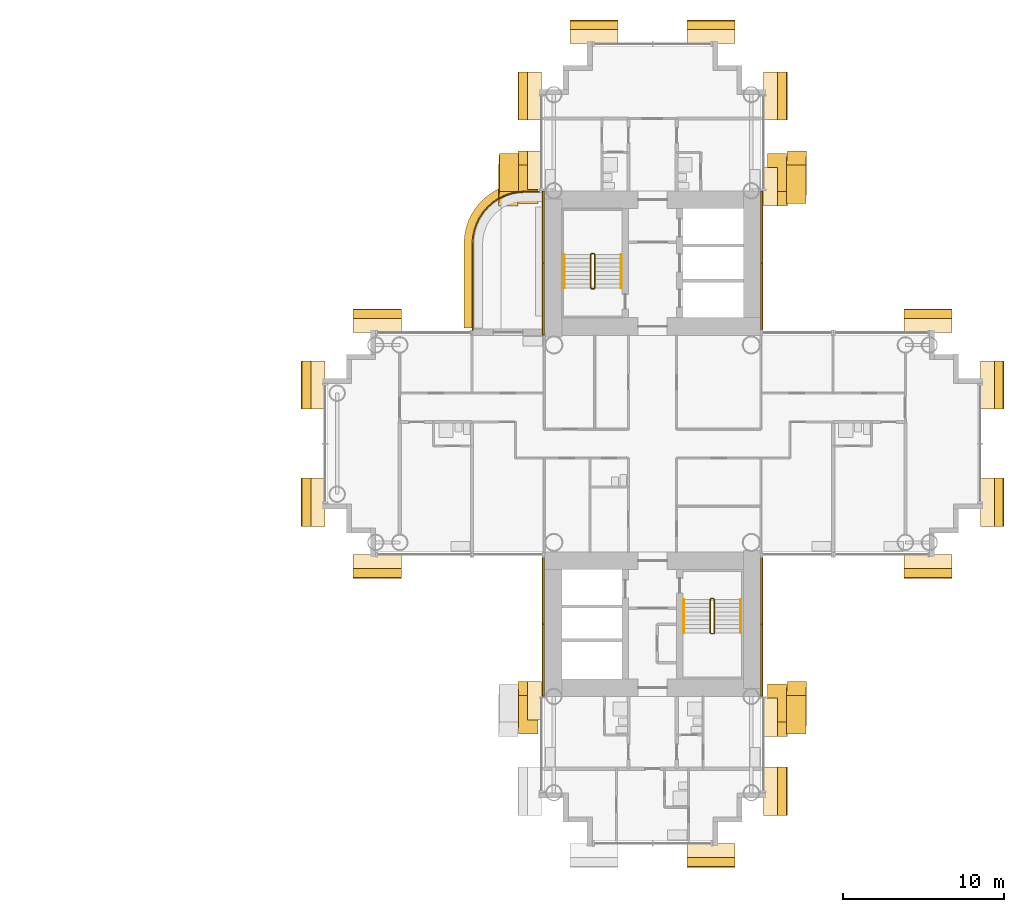
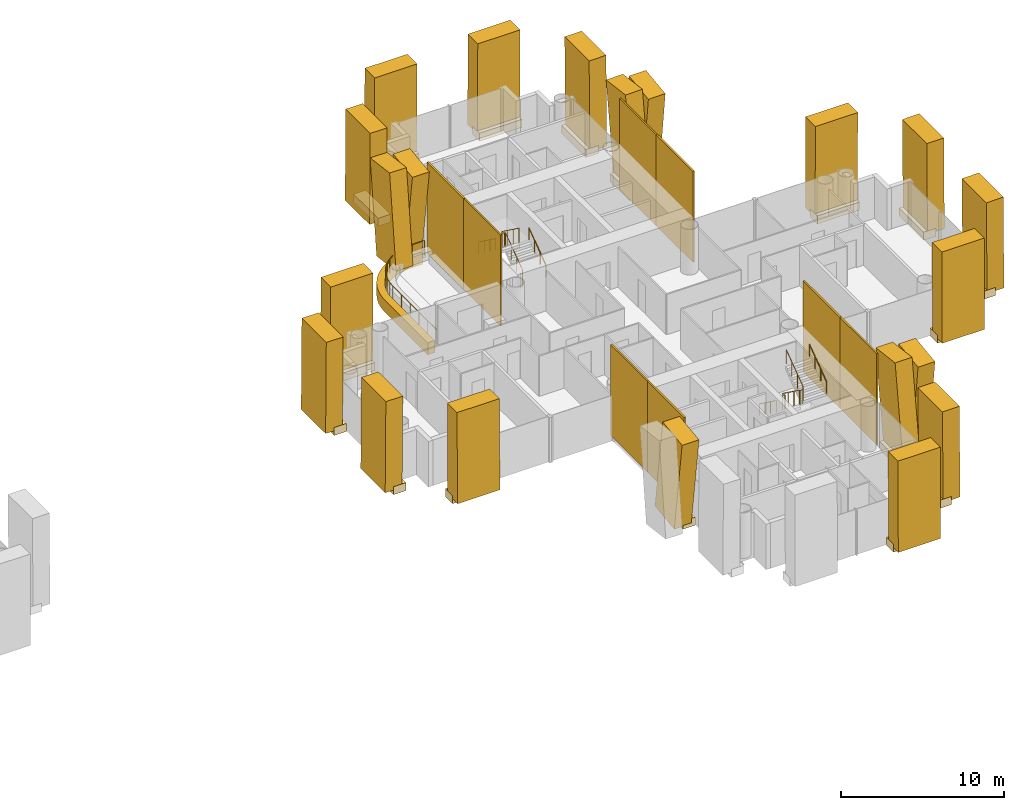
# One storey, part 22 of 23: 48 coverings, 7 railings.
"""IFC4 building model written with IfcOpenShell, lengths in metres."""

from ifc_helpers import new_model, si_unit, direction, frame, origin, origin_2d, place, context, subcontext, project, spatial, polyline, rectangle, circle, outline, extrude, material, layer, layer_set, material_profile, profile_set, type_object, element, save


model = new_model("IFC4")

# Units and contexts
model_context = context("Model", 3, precision=1e-05, world=origin(), true_north=direction((0.0, 1.0)))
body_context = subcontext(model_context, "Body", "Model", "MODEL_VIEW")
ifc_project = project(units=[si_unit("LENGTHUNIT", "METRE"), si_unit("AREAUNIT", "SQUARE_METRE"), si_unit("VOLUMEUNIT", "CUBIC_METRE"), si_unit("PLANEANGLEUNIT", "RADIAN"), si_unit("MASSUNIT", "GRAM", prefix="KILO")], contexts=[model_context])

# Site, building, storey
site_placement = place(None, origin())
site = spatial("IfcSite", under=ifc_project, at=site_placement, CompositionType="ELEMENT")
building_placement = place(site_placement, origin())
building = spatial("IfcBuilding", under=site, at=building_placement, Name="Ipe Terrace Towers", CompositionType="ELEMENT")
storey_placement = place(building_placement, frame((0.0, 0.0, 44.89990234375)))
storey = spatial("IfcBuildingStorey", under=building, at=storey_placement, Name="L11", CompositionType="ELEMENT", Elevation=44.89990234375)

# Railing
ifc_material_1 = material(Name="Stainless steel S316", Category="steel")
railing_type_1 = type_object("IfcRailingType", Name="GUARD 1100", PredefinedType="BALUSTRADE", material=ifc_material_1)
railing_1_placement = place(storey_placement, frame((28.929931640625, 15.699951171875, -0.02001953125)))
element("IfcRailing", 1, at=railing_1_placement, inside=storey, type_object=railing_type_1, Name="guard", PredefinedType="BALUSTRADE", context=body_context, shape_type="SweptSolid", body=[
    extrude(circle(Radius=0.02392578125, at=origin_2d()), frame((0.0, 0.0, 1.076171875), z_axis=(-1.0, 0.0, 0.0), x_axis=(0.0, -1.0, 0.0)), (0.0, 0.0, 1.0), 0.8779296875),
    extrude(circle(Radius=0.02392578125, at=origin_2d()), frame((-0.8779296875, 0.0, 1.076171875), z_axis=(-0.997872833927, -0.065190546171, 0.0), x_axis=(0.065190546171, -0.997872833927, 0.0)), (0.0, 0.0, 1.0), 0.427001953125),
    extrude(circle(Radius=0.02392578125, at=origin_2d()), frame((-1.303955078125, -0.02783203125, 1.076171875), z_axis=(-0.980756958892, -0.195232649896, 0.0), x_axis=(0.195232649896, -0.980756958892, 0.0)), (0.0, 0.0, 1.0), 0.42529296875),
    extrude(circle(Radius=0.02392578125, at=origin_2d()), frame((-1.720947265625, -0.11083984375, 1.076171875), z_axis=(-0.947355280148, -0.320184280026, 0.0), x_axis=(0.320184280026, -0.947355280148, 0.0)), (0.0, 0.0, 1.0), 0.425537109375),
    extrude(circle(Radius=0.02392578125, at=origin_2d()), frame((-2.1240234375, -0.2470703125, 1.076171875), z_axis=(-0.895801099535, -0.444455160923, 0.0), x_axis=(0.444455160923, -0.895801099535, 0.0)), (0.0, 0.0, 1.0), 0.425048828125),
    extrude(circle(Radius=0.02392578125, at=origin_2d()), frame((-2.5048828125, -0.43603515625, 1.076171875), z_axis=(-0.83151910003, -0.55549616226, 0.0), x_axis=(0.55549616226, -0.83151910003, 0.0)), (0.0, 0.0, 1.0), 0.424560546875),
    extrude(circle(Radius=0.02392578125, at=origin_2d()), frame((-2.85791015625, -0.671875, 1.076171875), z_axis=(-0.752612255774, -0.658463964434, 0.0), x_axis=(0.658463964434, -0.752612255774, 0.0)), (0.0, 0.0, 1.0), 0.42529296875),
    extrude(circle(Radius=0.02392578125, at=origin_2d()), frame((-3.177978515625, -0.951904296875, 1.076171875), z_axis=(-0.658463964434, -0.752612255774, 0.0), x_axis=(0.752612255774, -0.658463964434, 0.0)), (0.0, 0.0, 1.0), 0.42529296875),
    extrude(circle(Radius=0.02392578125, at=origin_2d()), frame((-3.4580078125, -1.27197265625, 1.076171875), z_axis=(-0.55549616226, -0.83151910003, 0.0), x_axis=(0.83151910003, -0.55549616226, 0.0)), (0.0, 0.0, 1.0), 0.424560546875),
    extrude(circle(Radius=0.02392578125, at=origin_2d()), frame((-3.69384765625, -1.625, 1.076171875), z_axis=(-0.444455160923, -0.895801099535, 0.0), x_axis=(0.895801099535, -0.444455160923, 0.0)), (0.0, 0.0, 1.0), 0.425048828125),
    extrude(circle(Radius=0.02392578125, at=origin_2d()), frame((-3.8828125, -2.005859375, 1.076171875), z_axis=(-0.320184280026, -0.947355280148, 0.0), x_axis=(0.947355280148, -0.320184280026, 0.0)), (0.0, 0.0, 1.0), 0.425537109375),
    extrude(circle(Radius=0.02392578125, at=origin_2d()), frame((-4.01904296875, -2.408935546875, 1.076171875), z_axis=(-0.195232649896, -0.980756958892, 0.0), x_axis=(0.980756958892, -0.195232649896, 0.0)), (0.0, 0.0, 1.0), 0.42529296875),
    extrude(circle(Radius=0.02392578125, at=origin_2d()), frame((-4.10205078125, -2.825927734375, 1.076171875), z_axis=(-0.065190546171, -0.997872833927, 0.0), x_axis=(0.997872833927, -0.065190546171, 0.0)), (0.0, 0.0, 1.0), 0.427001953125),
    extrude(circle(Radius=0.02392578125, at=origin_2d()), frame((-4.1298828125, -3.251953125, 1.076171875), z_axis=(0.0, -1.0, 0.0), x_axis=(1.0, 0.0, 0.0)), (0.0, 0.0, 1.0), 5.3779296875),
    extrude(circle(Radius=0.02099609375, at=origin_2d()), origin(), (0.0, 0.0, 1.0), 1.052001953125),
    extrude(circle(Radius=0.02099609375, at=origin_2d()), frame((-0.8779296875, 0.0, 0.0)), (0.0, 0.0, 1.0), 1.052001953125),
    extrude(circle(Radius=0.02099609375, at=origin_2d()), frame((-1.303955078125, -0.02783203125, 0.0)), (0.0, 0.0, 1.0), 1.052001953125),
    extrude(circle(Radius=0.02099609375, at=origin_2d()), frame((-1.720947265625, -0.11083984375, 0.0)), (0.0, 0.0, 1.0), 1.052001953125),
    extrude(circle(Radius=0.02099609375, at=origin_2d()), frame((-2.1240234375, -0.2470703125, 0.0)), (0.0, 0.0, 1.0), 1.052001953125),
    extrude(circle(Radius=0.02099609375, at=origin_2d()), frame((-2.5048828125, -0.43603515625, 0.0)), (0.0, 0.0, 1.0), 1.052001953125),
    extrude(circle(Radius=0.02099609375, at=origin_2d()), frame((-2.85791015625, -0.671875, 0.0)), (0.0, 0.0, 1.0), 1.052001953125),
    extrude(circle(Radius=0.02099609375, at=origin_2d()), frame((-3.177978515625, -0.951904296875, 0.0)), (0.0, 0.0, 1.0), 1.052001953125),
    extrude(circle(Radius=0.02099609375, at=origin_2d()), frame((-3.4580078125, -1.27197265625, 0.0)), (0.0, 0.0, 1.0), 1.052001953125),
    extrude(circle(Radius=0.02099609375, at=origin_2d()), frame((-3.69384765625, -1.625, 0.0)), (0.0, 0.0, 1.0), 1.052001953125),
    extrude(circle(Radius=0.02099609375, at=origin_2d()), frame((-3.8828125, -2.005859375, 0.0)), (0.0, 0.0, 1.0), 1.052001953125),
    extrude(circle(Radius=0.02099609375, at=origin_2d()), frame((-4.01904296875, -2.408935546875, 0.0)), (0.0, 0.0, 1.0), 1.052001953125),
    extrude(circle(Radius=0.02099609375, at=origin_2d()), frame((-4.10205078125, -2.825927734375, 0.0)), (0.0, 0.0, 1.0), 1.052001953125),
    extrude(circle(Radius=0.02099609375, at=origin_2d()), frame((-4.1298828125, -3.251953125, 0.0)), (0.0, 0.0, 1.0), 1.052001953125),
    extrude(circle(Radius=0.02099609375, at=origin_2d()), frame((-4.1298828125, -4.32763671875, 0.0)), (0.0, 0.0, 1.0), 1.052001953125),
    extrude(circle(Radius=0.02099609375, at=origin_2d()), frame((-4.1298828125, -5.403076171875, 0.0)), (0.0, 0.0, 1.0), 1.052001953125),
    extrude(circle(Radius=0.02099609375, at=origin_2d()), frame((-4.1298828125, -6.478759765625, 0.0)), (0.0, 0.0, 1.0), 1.052001953125),
    extrude(circle(Radius=0.02099609375, at=origin_2d()), frame((-4.1298828125, -7.55419921875, 0.0)), (0.0, 0.0, 1.0), 1.052001953125),
    extrude(circle(Radius=0.02099609375, at=origin_2d()), frame((-4.1298828125, -8.6298828125, 0.0)), (0.0, 0.0, 1.0), 1.052001953125),
])

# Coverings
ifc_material_2 = material(Name="Concrete C50/60 precast, buff finish", Category="concrete")
ifc_layer_1 = layer(ifc_material_2, 0.1201171875)
ifc_layer_set_1 = layer_set([ifc_layer_1], Name="STONE CORE CLADDING 120")
covering_type_1 = type_object("IfcCoveringType", Name="STONE CORE CLADDING 120", PredefinedType="CLADDING", material=ifc_layer_set_1)
covering_1_placement = place(storey_placement, frame((29.18994140625, -13.5, 0.0), z_axis=(0.0, 0.0, 1.0), x_axis=(0.0, -1.0, 0.0)))
element("IfcCovering", 2, at=covering_1_placement, inside=storey, type_object=covering_type_1, Name="stone core cladding", PredefinedType="CLADDING", context=body_context, shape_type="SweptSolid", body=[
    extrude(rectangle(XDim=4.5009765625, YDim=0.1201171875, at=origin_2d()), origin(), (0.0, 0.0, 1.0), 6.800048828125),
])
for number, where, z_axis, x_axis, name in (
    (3, (29.18994140625, -9.0, 0.0), (0.0, 0.0, 1.0), (0.0, -1.0, 0.0), "stone core cladding"),
    (4, (29.18994140625, 9.0, 0.0), (0.0, 0.0, 1.0), (0.0, -1.0, 0.0), "stone core cladding"),
):
    element("IfcCovering", number, at=place(storey_placement, frame(where, z_axis=z_axis, x_axis=x_axis)), inside=storey, type_object=covering_type_1, Name=name, PredefinedType="CLADDING", context=body_context, shape_type="SweptSolid", body=[
        extrude(rectangle(XDim=4.5, YDim=0.1201171875, at=origin_2d()), origin(), (0.0, 0.0, 1.0), 6.800048828125),
    ])
for number, where, z_axis, x_axis, name in (
    (5, (29.18994140625, 13.5, 0.0), (0.0, 0.0, 1.0), (0.0, -1.0, 0.0), "stone core cladding"),
    (6, (42.81005859375, -13.5, 0.0), (0.0, 0.0, 1.0), (0.0, 1.0, 0.0), "stone core cladding"),
):
    element("IfcCovering", number, at=place(storey_placement, frame(where, z_axis=z_axis, x_axis=x_axis)), inside=storey, type_object=covering_type_1, Name=name, PredefinedType="CLADDING", context=body_context, shape_type="SweptSolid", body=[
        extrude(rectangle(XDim=4.5009765625, YDim=0.1201171875, at=origin_2d()), origin(), (0.0, 0.0, 1.0), 6.800048828125),
    ])
for number, where, z_axis, x_axis, name in (
    (7, (42.81005859375, -9.0, 0.0), (0.0, 0.0, 1.0), (0.0, 1.0, 0.0), "stone core cladding"),
    (8, (42.81005859375, 9.0, 0.0), (0.0, 0.0, 1.0), (0.0, 1.0, 0.0), "stone core cladding"),
):
    element("IfcCovering", number, at=place(storey_placement, frame(where, z_axis=z_axis, x_axis=x_axis)), inside=storey, type_object=covering_type_1, Name=name, PredefinedType="CLADDING", context=body_context, shape_type="SweptSolid", body=[
        extrude(rectangle(XDim=4.5, YDim=0.1201171875, at=origin_2d()), origin(), (0.0, 0.0, 1.0), 6.800048828125),
    ])
covering_2_placement = place(storey_placement, frame((42.81005859375, 13.5, 0.0), z_axis=(0.0, 0.0, 1.0), x_axis=(0.0, 1.0, 0.0)))
element("IfcCovering", 9, at=covering_2_placement, inside=storey, type_object=covering_type_1, Name="stone core cladding", PredefinedType="CLADDING", context=body_context, shape_type="SweptSolid", body=[
    extrude(rectangle(XDim=4.5009765625, YDim=0.1201171875, at=origin_2d()), origin(), (0.0, 0.0, 1.0), 6.800048828125),
])
ifc_material_3 = material(Name="Concrete C50/60 precast, buff finish", Category="concrete")
ifc_layer_2 = layer(ifc_material_3, 0.5)
ifc_layer_set_2 = layer_set([ifc_layer_2], Name="STONE EDGE BAND 500 x 900")
covering_type_2 = type_object("IfcCoveringType", Name="STONE EDGE BAND 500 x 900", PredefinedType="CLADDING", material=ifc_layer_set_2)
covering_3_placement = place(storey_placement, frame((0.0, 0.0, -0.719970703125)))
element("IfcCovering", 10, at=covering_3_placement, inside=storey, type_object=covering_type_2, Name="stone edge band", PredefinedType="CLADDING", context=body_context, shape_type="SweptSolid", body=[
    extrude(outline(polyline([(24.25, 12.449951171875), (24.25, 7.199951171875), (24.75, 7.199951171875), (24.75, 12.449951171875), (24.778076171875, 12.881103515625), (24.862060546875, 13.303955078125), (25.0009765625, 13.712890625), (25.19189453125, 14.10009765625), (25.431884765625, 14.458984375), (25.717041015625, 14.782958984375), (26.041015625, 15.068115234375), (26.39990234375, 15.30810546875), (26.787109375, 15.4990234375), (27.196044921875, 15.637939453125), (27.618896484375, 15.721923828125), (28.050048828125, 15.75), (28.800048828125, 15.75), (28.800048828125, 16.25), (28.050048828125, 16.25), (28.01708984375, 16.2490234375), (27.5869140625, 16.220947265625), (27.52197265625, 16.2119140625), (27.097900390625, 16.1279296875), (27.034912109375, 16.111083984375), (26.6259765625, 15.971923828125), (26.56591796875, 15.947021484375), (26.178955078125, 15.756103515625), (26.1220703125, 15.72412109375), (25.762939453125, 15.48388671875), (25.7109375, 15.444091796875), (25.386962890625, 15.158935546875), (25.341064453125, 15.113037109375), (25.055908203125, 14.7890625), (25.01611328125, 14.737060546875), (24.77587890625, 14.3779296875), (24.743896484375, 14.321044921875), (24.552978515625, 13.93408203125), (24.528076171875, 13.8740234375), (24.388916015625, 13.465087890625), (24.3720703125, 13.402099609375), (24.2880859375, 12.97802734375), (24.279052734375, 12.9130859375), (24.2509765625, 12.48291015625), (24.25, 12.449951171875)])), origin(), (0.0, 0.0, 1.0), 0.900146484375),
])
ifc_material_4 = material(Name="Concrete C50/60 precast, buff finish", Category="concrete")
ifc_material_profile_1 = material_profile(ifc_material_4, rectangle(XDim=2.39990234375, YDim=1.199951171875, at=origin_2d()), Name="STONE FIN 2400 x 1200")
ifc_profile_set_1 = profile_set([ifc_material_profile_1], Name="Concrete C50/60 precast, buff finish")
covering_type_3 = type_object("IfcCoveringType", Name="STONE FIN 2400 x 1200", PredefinedType="USERDEFINED", material=ifc_profile_set_1)
for number, where, z_axis, x_axis, name in (
    (11, (28.20703125, -16.010986328125, 0.0), (0.006836679936, -0.127760456296, 0.991781490861), (-0.000880674426, -0.991805054336, -0.127757420941), "stone fin"),
    (12, (27.007080078125, 16.010986328125, 0.0), (0.006836679936, 0.127760456296, 0.991781490861), (0.000880674426, -0.991805054336, 0.127757420941), "stone fin"),
    (13, (28.20703125, 17.0390625, 0.0), (0.006836679936, -0.127760456296, 0.991781490861), (-0.000880674426, -0.991805054336, -0.127757420941), "stone fin"),
    (14, (44.992919921875, -16.010986328125, 0.0), (-0.006836679936, -0.127760456296, 0.991781490861), (-0.000880674426, 0.991805054336, 0.127757420941), "stone fin"),
    (15, (43.79296875, -17.0390625, 0.0), (-0.006836679936, 0.127760456296, 0.991781490861), (0.000880674426, 0.991805054336, -0.127757420941), "stone fin"),
    (16, (43.79296875, 16.010986328125, 0.0), (-0.006836679936, 0.127760456296, 0.991781490861), (0.000880674426, 0.991805054336, -0.127757420941), "stone fin"),
    (17, (44.992919921875, 17.0390625, 0.0), (-0.006836679936, -0.127760456296, 0.991781490861), (-0.000880674426, 0.991805054336, 0.127757420941), "stone fin"),
):
    element("IfcCovering", number, at=place(storey_placement, frame(where, z_axis=z_axis, x_axis=x_axis)), inside=storey, type_object=covering_type_3, Name=name, ObjectType="FIN", PredefinedType="USERDEFINED", context=body_context, shape_type="SweptSolid", body=[
        extrude(rectangle(XDim=2.39990234375, YDim=1.199951171875, at=origin_2d()), origin(), (0.0, 0.0, 1.0), 6.8564453125),
    ])
ifc_material_5 = material(Name="Concrete C50/60 precast, buff finish", Category="concrete")
ifc_material_profile_2 = material_profile(ifc_material_5, rectangle(XDim=3.0, YDim=1.199951171875, at=origin_2d()), Name="STONE FIN CORNER 3000 x 1200")
ifc_profile_set_2 = profile_set([ifc_material_profile_2], Name="Concrete C50/60 precast, buff finish")
covering_type_4 = type_object("IfcCoveringType", Name="STONE FIN CORNER 3000 x 1200", PredefinedType="USERDEFINED", material=ifc_profile_set_2)
for number, where, z_axis, x_axis, name in (
    (18, (14.70703125, -3.64990234375, 0.0), (0.006893169082, 0.0, 0.999976241828), (0.0, -1.0, 0.0), "stone fin"),
    (19, (14.70703125, 3.64990234375, 0.0), (0.006893169082, 0.0, 0.999976241828), (0.0, -1.0, 0.0), "stone fin"),
    (20, (18.85009765625, -7.79296875, 0.0), (0.0, 0.006893169082, 0.999976241828), (1.0, 0.0, 0.0), "stone fin"),
    (21, (18.85009765625, 7.79296875, 0.0), (0.0, -0.006893169082, 0.999976241828), (-1.0, 0.0, 0.0), "stone fin"),
    (22, (28.20703125, 21.64990234375, 0.0), (0.006893169082, 0.0, 0.999976241828), (0.0, -1.0, 0.0), "stone fin"),
    (23, (32.35009765625, 25.79296875, 0.0), (0.0, -0.006893169082, 0.999976241828), (-1.0, 0.0, 0.0), "stone fin"),
    (24, (39.64990234375, -25.79296875, 0.0), (0.0, 0.006893169082, 0.999976241828), (1.0, 0.0, 0.0), "stone fin"),
    (25, (39.64990234375, 25.79296875, 0.0), (0.0, -0.006893169082, 0.999976241828), (-1.0, 0.0, 0.0), "stone fin"),
    (26, (43.79296875, -21.64990234375, 0.0), (-0.006893169082, 0.0, 0.999976241828), (0.0, 1.0, 0.0), "stone fin"),
    (27, (43.79296875, 21.64990234375, 0.0), (-0.006893169082, 0.0, 0.999976241828), (0.0, 1.0, 0.0), "stone fin"),
    (28, (53.14990234375, -7.79296875, 0.0), (0.0, 0.006893169082, 0.999976241828), (1.0, 0.0, 0.0), "stone fin"),
    (29, (53.14990234375, 7.79296875, 0.0), (0.0, -0.006893169082, 0.999976241828), (-1.0, 0.0, 0.0), "stone fin"),
    (30, (57.29296875, -3.64990234375, 0.0), (-0.006893169082, 0.0, 0.999976241828), (0.0, 1.0, 0.0), "stone fin"),
    (31, (57.29296875, 3.64990234375, 0.0), (-0.006893169082, 0.0, 0.999976241828), (0.0, 1.0, 0.0), "stone fin"),
):
    element("IfcCovering", number, at=place(storey_placement, frame(where, z_axis=z_axis, x_axis=x_axis)), inside=storey, type_object=covering_type_4, Name=name, ObjectType="FIN", PredefinedType="USERDEFINED", context=body_context, shape_type="SweptSolid", body=[
        extrude(rectangle(XDim=3.0, YDim=1.199951171875, at=origin_2d()), origin(), (0.0, 0.0, 1.0), 6.80029296875),
    ])
ifc_material_6 = material(Name="Concrete C50/60 precast, buff finish", Category="concrete")
covering_type_5 = type_object("IfcCoveringType", Name="STONE FIN SHELF 2400 x 600", PredefinedType="CLADDING", material=ifc_material_6)
for number, where, z_axis, x_axis, name in (
    (32, (28.64599609375, -16.010986328125, -0.349853515625), (0.0, 0.0, 1.0), (0.0, -1.0, 0.0), "stone fin shelf"),
    (33, (28.64599609375, 17.0390625, -0.349853515625), (0.0, 0.0, 1.0), (0.0, -1.0, 0.0), "stone fin shelf"),
    (34, (43.35498046875, -17.0390625, -0.349853515625), (0.0, 0.0, 1.0), (0.0, 1.0, 0.0), "stone fin shelf"),
    (35, (43.35498046875, 16.010986328125, -0.349853515625), (0.0, 0.0, 1.0), (0.0, 1.0, 0.0), "stone fin shelf"),
):
    element("IfcCovering", number, at=place(storey_placement, frame(where, z_axis=z_axis, x_axis=x_axis)), inside=storey, type_object=covering_type_5, Name=name, PredefinedType="CLADDING", context=body_context, shape_type="SweptSolid", body=[
        extrude(rectangle(XDim=2.39990234375, YDim=0.876953125, at=origin_2d()), origin(), (0.0, 0.0, 1.0), 0.60009765625),
    ])
ifc_material_7 = material(Name="Concrete C50/60 precast, buff finish", Category="concrete")
covering_type_6 = type_object("IfcCoveringType", Name="STONE FIN SHELF 3000 x 600", PredefinedType="CLADDING", material=ifc_material_7)
for number, where, z_axis, x_axis, name in (
    (36, (15.14599609375, -3.64990234375, -0.349853515625), (0.0, 0.0, 1.0), (0.0, -1.0, 0.0), "stone fin shelf"),
    (37, (15.14599609375, 3.64990234375, -0.349853515625), (0.0, 0.0, 1.0), (0.0, -1.0, 0.0), "stone fin shelf"),
    (38, (18.85009765625, -7.35400390625, -0.349853515625), (0.0, 0.0, 1.0), (1.0, 0.0, 0.0), "stone fin shelf"),
    (39, (18.85009765625, 7.35400390625, -0.349853515625), (0.0, 0.0, 1.0), (-1.0, 0.0, 0.0), "stone fin shelf"),
    (40, (28.64599609375, 21.64990234375, -0.349853515625), (0.0, 0.0, 1.0), (0.0, -1.0, 0.0), "stone fin shelf"),
    (41, (32.35009765625, 25.35400390625, -0.349853515625), (0.0, 0.0, 1.0), (-1.0, 0.0, 0.0), "stone fin shelf"),
    (42, (39.64990234375, -25.35400390625, -0.349853515625), (0.0, 0.0, 1.0), (1.0, 0.0, 0.0), "stone fin shelf"),
    (43, (39.64990234375, 25.35400390625, -0.349853515625), (0.0, 0.0, 1.0), (-1.0, 0.0, 0.0), "stone fin shelf"),
    (44, (43.35498046875, -21.64990234375, -0.349853515625), (0.0, 0.0, 1.0), (0.0, 1.0, 0.0), "stone fin shelf"),
    (45, (43.35498046875, 21.64990234375, -0.349853515625), (0.0, 0.0, 1.0), (0.0, 1.0, 0.0), "stone fin shelf"),
    (46, (53.14990234375, -7.35400390625, -0.349853515625), (0.0, 0.0, 1.0), (1.0, 0.0, 0.0), "stone fin shelf"),
    (47, (53.14990234375, 7.35400390625, -0.349853515625), (0.0, 0.0, 1.0), (-1.0, 0.0, 0.0), "stone fin shelf"),
    (48, (56.85498046875, -3.64990234375, -0.349853515625), (0.0, 0.0, 1.0), (0.0, 1.0, 0.0), "stone fin shelf"),
    (49, (56.85498046875, 3.64990234375, -0.349853515625), (0.0, 0.0, 1.0), (0.0, 1.0, 0.0), "stone fin shelf"),
):
    element("IfcCovering", number, at=place(storey_placement, frame(where, z_axis=z_axis, x_axis=x_axis)), inside=storey, type_object=covering_type_6, Name=name, PredefinedType="CLADDING", context=body_context, shape_type="SweptSolid", body=[
        extrude(rectangle(XDim=3.0, YDim=0.876953125, at=origin_2d()), origin(), (0.0, 0.0, 1.0), 0.60009765625),
    ])

# Railings
ifc_material_8 = material(Name="Steel S355", Category="steel")
railing_type_2 = type_object("IfcRailingType", Name="Stair guard 1100", PredefinedType="GUARDRAIL", material=ifc_material_8)
railing_2_placement = place(storey_placement, frame((32.199951171875, 9.64990234375, 0.0)))
element("IfcRailing", 50, at=railing_2_placement, inside=storey, type_object=railing_type_2, Name="L11 T2-ST1 stair guard 1", PredefinedType="GUARDRAIL", context=body_context, shape_type="SweptSolid", body=[
    extrude(circle(Radius=0.02392578125, at=origin_2d()), frame((0.0, 0.0, 1.076171875), z_axis=(1.0, 0.0, 0.0), x_axis=(0.0, 1.0, 0.0)), (0.0, 0.0, 1.0), 0.150146484375),
    extrude(circle(Radius=0.02392578125, at=origin_2d()), frame((0.150146484375, 0.0, 1.076171875), z_axis=(0.246893586699, 0.248103849378, 0.936743314239), x_axis=(-0.708833529934, 0.705375805398, 0.0)), (0.0, 0.0, 1.0), 0.20166015625),
    extrude(circle(Radius=0.02392578125, at=origin_2d()), frame((0.199951171875, 0.050048828125, 1.26513671875), z_axis=(0.0, 0.809023421508, 0.587776406001), x_axis=(-1.0, 0.0, 0.0)), (0.0, 0.0, 1.0), 2.571044921875),
    extrude(circle(Radius=0.02392578125, at=origin_2d()), frame((0.199951171875, 2.130126953125, 2.7763671875), z_axis=(-0.705375805398, 0.708833529934, 0.0), x_axis=(-0.708833529934, -0.705375805398, 0.0)), (0.0, 0.0, 1.0), 0.070556640625),
    extrude(circle(Radius=0.02392578125, at=origin_2d()), frame((0.150146484375, 2.18017578125, 2.7763671875), z_axis=(-1.0, 0.0, 0.0), x_axis=(0.0, -1.0, 0.0)), (0.0, 0.0, 1.0), 0.150146484375),
    extrude(circle(Radius=0.02392578125, at=origin_2d()), frame((0.0, 2.18017578125, 2.7763671875), z_axis=(-0.248310886586, -0.248310886586, 0.936313733321), x_axis=(0.707106781187, -0.707106781187, 0.0)), (0.0, 0.0, 1.0), 0.20166015625),
    extrude(circle(Radius=0.02392578125, at=origin_2d()), frame((-0.050048828125, 2.130126953125, 2.96484375), z_axis=(0.0, -0.809023421508, 0.587776406001), x_axis=(1.0, 0.0, 0.0)), (0.0, 0.0, 1.0), 2.571044921875),
    extrude(circle(Radius=0.02099609375, at=origin_2d()), origin(), (0.0, 0.0, 1.0), 1.052001953125),
    extrude(circle(Radius=0.02099609375, at=origin_2d()), frame((0.150146484375, 0.0, 0.0)), (0.0, 0.0, 1.0), 1.052001953125),
    extrude(circle(Radius=0.02099609375, at=origin_2d()), frame((0.199951171875, 0.050048828125, 0.18896484375)), (0.0, 0.0, 1.0), 1.052001953125),
    extrude(circle(Radius=0.02099609375, at=origin_2d()), frame((0.199951171875, 0.743408203125, 0.692626953125)), (0.0, 0.0, 1.0), 1.052001953125),
    extrude(circle(Radius=0.02099609375, at=origin_2d()), frame((0.199951171875, 1.436767578125, 1.196533203125)), (0.0, 0.0, 1.0), 1.052001953125),
    extrude(circle(Radius=0.02099609375, at=origin_2d()), frame((0.199951171875, 2.130126953125, 1.7001953125)), (0.0, 0.0, 1.0), 1.052001953125),
    extrude(circle(Radius=0.02099609375, at=origin_2d()), frame((0.150146484375, 2.18017578125, 1.7001953125)), (0.0, 0.0, 1.0), 1.052001953125),
    extrude(circle(Radius=0.02099609375, at=origin_2d()), frame((0.0, 2.18017578125, 1.7001953125)), (0.0, 0.0, 1.0), 1.052001953125),
    extrude(circle(Radius=0.02099609375, at=origin_2d()), frame((-0.050048828125, 2.130126953125, 1.888916015625)), (0.0, 0.0, 1.0), 1.052001953125),
    extrude(circle(Radius=0.02099609375, at=origin_2d()), frame((-0.050048828125, 1.436767578125, 2.392578125)), (0.0, 0.0, 1.0), 1.052001953125),
    extrude(circle(Radius=0.02099609375, at=origin_2d()), frame((-0.050048828125, 0.743408203125, 2.896484375)), (0.0, 0.0, 1.0), 1.052001953125),
    extrude(circle(Radius=0.02099609375, at=origin_2d()), frame((-0.050048828125, 0.050048828125, 3.400146484375)), (0.0, 0.0, 1.0), 1.052001953125),
])
railing_3_placement = place(storey_placement, frame((39.800048828125, -9.64990234375, 0.0)))
element("IfcRailing", 51, at=railing_3_placement, inside=storey, type_object=railing_type_2, Name="L11 T2-ST2 stair guard 1", PredefinedType="GUARDRAIL", context=body_context, shape_type="SweptSolid", body=[
    extrude(circle(Radius=0.02392578125, at=origin_2d()), frame((0.0, 0.0, 1.076171875), z_axis=(-1.0, 0.0, 0.0), x_axis=(0.0, -1.0, 0.0)), (0.0, 0.0, 1.0), 0.150146484375),
    extrude(circle(Radius=0.02392578125, at=origin_2d()), frame((-0.150146484375, 0.0, 1.076171875), z_axis=(-0.246893586699, -0.248103849378, 0.936743314239), x_axis=(0.708833529934, -0.705375805398, 0.0)), (0.0, 0.0, 1.0), 0.20166015625),
    extrude(circle(Radius=0.02392578125, at=origin_2d()), frame((-0.199951171875, -0.050048828125, 1.26513671875), z_axis=(0.0, -0.809023421508, 0.587776406001), x_axis=(1.0, 0.0, 0.0)), (0.0, 0.0, 1.0), 2.571044921875),
    extrude(circle(Radius=0.02392578125, at=origin_2d()), frame((-0.199951171875, -2.130126953125, 2.7763671875), z_axis=(0.705375805398, -0.708833529934, 0.0), x_axis=(0.708833529934, 0.705375805398, 0.0)), (0.0, 0.0, 1.0), 0.070556640625),
    extrude(circle(Radius=0.02392578125, at=origin_2d()), frame((-0.150146484375, -2.18017578125, 2.7763671875), z_axis=(1.0, 0.0, 0.0), x_axis=(0.0, 1.0, 0.0)), (0.0, 0.0, 1.0), 0.150146484375),
    extrude(circle(Radius=0.02392578125, at=origin_2d()), frame((0.0, -2.18017578125, 2.7763671875), z_axis=(0.248310886586, 0.248310886586, 0.936313733321), x_axis=(-0.707106781187, 0.707106781187, 0.0)), (0.0, 0.0, 1.0), 0.20166015625),
    extrude(circle(Radius=0.02392578125, at=origin_2d()), frame((0.050048828125, -2.130126953125, 2.96484375), z_axis=(0.0, 0.809023421508, 0.587776406001), x_axis=(-1.0, 0.0, 0.0)), (0.0, 0.0, 1.0), 2.571044921875),
    extrude(circle(Radius=0.02099609375, at=origin_2d()), origin(), (0.0, 0.0, 1.0), 1.052001953125),
    extrude(circle(Radius=0.02099609375, at=origin_2d()), frame((-0.150146484375, 0.0, 0.0)), (0.0, 0.0, 1.0), 1.052001953125),
    extrude(circle(Radius=0.02099609375, at=origin_2d()), frame((-0.199951171875, -0.050048828125, 0.18896484375)), (0.0, 0.0, 1.0), 1.052001953125),
    extrude(circle(Radius=0.02099609375, at=origin_2d()), frame((-0.199951171875, -0.743408203125, 0.692626953125)), (0.0, 0.0, 1.0), 1.052001953125),
    extrude(circle(Radius=0.02099609375, at=origin_2d()), frame((-0.199951171875, -1.436767578125, 1.196533203125)), (0.0, 0.0, 1.0), 1.052001953125),
    extrude(circle(Radius=0.02099609375, at=origin_2d()), frame((-0.199951171875, -2.130126953125, 1.7001953125)), (0.0, 0.0, 1.0), 1.052001953125),
    extrude(circle(Radius=0.02099609375, at=origin_2d()), frame((-0.150146484375, -2.18017578125, 1.7001953125)), (0.0, 0.0, 1.0), 1.052001953125),
    extrude(circle(Radius=0.02099609375, at=origin_2d()), frame((0.0, -2.18017578125, 1.7001953125)), (0.0, 0.0, 1.0), 1.052001953125),
    extrude(circle(Radius=0.02099609375, at=origin_2d()), frame((0.050048828125, -2.130126953125, 1.888916015625)), (0.0, 0.0, 1.0), 1.052001953125),
    extrude(circle(Radius=0.02099609375, at=origin_2d()), frame((0.050048828125, -1.436767578125, 2.392578125)), (0.0, 0.0, 1.0), 1.052001953125),
    extrude(circle(Radius=0.02099609375, at=origin_2d()), frame((0.050048828125, -0.743408203125, 2.896484375)), (0.0, 0.0, 1.0), 1.052001953125),
    extrude(circle(Radius=0.02099609375, at=origin_2d()), frame((0.050048828125, -0.050048828125, 3.400146484375)), (0.0, 0.0, 1.0), 1.052001953125),
])
ifc_material_9 = material(Name="Stainless steel grade 304", Category="steel")
railing_type_3 = type_object("IfcRailingType", Name="Stair handrail 900", PredefinedType="HANDRAIL", material=ifc_material_9)
railing_4_placement = place(storey_placement, frame((34.050048828125, 9.699951171875, 0.18896484375)))
element("IfcRailing", 52, at=railing_4_placement, inside=storey, type_object=railing_type_3, Name="L11 T2-ST1 stair handrail 1", PredefinedType="HANDRAIL", context=body_context, shape_type="SweptSolid", body=[
    extrude(circle(Radius=0.02392578125, at=origin_2d()), frame((0.0, 0.0, 0.8759765625), z_axis=(0.0, 0.809023421508, 0.587776406001), x_axis=(-1.0, 0.0, 0.0)), (0.0, 0.0, 1.0), 2.571044921875),
    extrude(circle(Radius=0.02099609375, at=origin_2d()), origin(), (0.0, 0.0, 1.0), 0.851806640625),
    extrude(circle(Radius=0.02099609375, at=origin_2d()), frame((0.0, 0.693359375, 0.503662109375)), (0.0, 0.0, 1.0), 0.851806640625),
    extrude(circle(Radius=0.02099609375, at=origin_2d()), frame((0.0, 1.38671875, 1.007568359375)), (0.0, 0.0, 1.0), 0.851806640625),
    extrude(circle(Radius=0.02099609375, at=origin_2d()), frame((0.0, 2.080078125, 1.51123046875)), (0.0, 0.0, 1.0), 0.851806640625),
])
for number, where, name in (
    (53, (30.5, 11.780029296875, 1.888916015625), "L11 T2-ST1 stair handrail 2"),
    (54, (37.949951171875, -9.699951171875, 0.18896484375), "L11 T2-ST2 stair handrail 1"),
):
    element("IfcRailing", number, at=place(storey_placement, frame(where)), inside=storey, type_object=railing_type_3, Name=name, PredefinedType="HANDRAIL", context=body_context, shape_type="SweptSolid", body=[
        extrude(circle(Radius=0.02392578125, at=origin_2d()), frame((0.0, 0.0, 0.8759765625), z_axis=(0.0, -0.809023421508, 0.587776406001), x_axis=(1.0, 0.0, 0.0)), (0.0, 0.0, 1.0), 2.571044921875),
        extrude(circle(Radius=0.02099609375, at=origin_2d()), origin(), (0.0, 0.0, 1.0), 0.851806640625),
        extrude(circle(Radius=0.02099609375, at=origin_2d()), frame((0.0, -0.693359375, 0.503662109375)), (0.0, 0.0, 1.0), 0.851806640625),
        extrude(circle(Radius=0.02099609375, at=origin_2d()), frame((0.0, -1.38671875, 1.007568359375)), (0.0, 0.0, 1.0), 0.851806640625),
        extrude(circle(Radius=0.02099609375, at=origin_2d()), frame((0.0, -2.080078125, 1.51123046875)), (0.0, 0.0, 1.0), 0.851806640625),
    ])
railing_5_placement = place(storey_placement, frame((41.5, -11.780029296875, 1.888916015625)))
element("IfcRailing", 55, at=railing_5_placement, inside=storey, type_object=railing_type_3, Name="L11 T2-ST2 stair handrail 2", PredefinedType="HANDRAIL", context=body_context, shape_type="SweptSolid", body=[
    extrude(circle(Radius=0.02392578125, at=origin_2d()), frame((0.0, 0.0, 0.8759765625), z_axis=(0.0, 0.809023421508, 0.587776406001), x_axis=(-1.0, 0.0, 0.0)), (0.0, 0.0, 1.0), 2.571044921875),
    extrude(circle(Radius=0.02099609375, at=origin_2d()), origin(), (0.0, 0.0, 1.0), 0.851806640625),
    extrude(circle(Radius=0.02099609375, at=origin_2d()), frame((0.0, 0.693359375, 0.503662109375)), (0.0, 0.0, 1.0), 0.851806640625),
    extrude(circle(Radius=0.02099609375, at=origin_2d()), frame((0.0, 1.38671875, 1.007568359375)), (0.0, 0.0, 1.0), 0.851806640625),
    extrude(circle(Radius=0.02099609375, at=origin_2d()), frame((0.0, 2.080078125, 1.51123046875)), (0.0, 0.0, 1.0), 0.851806640625),
])

save(model, "model.ifc")
